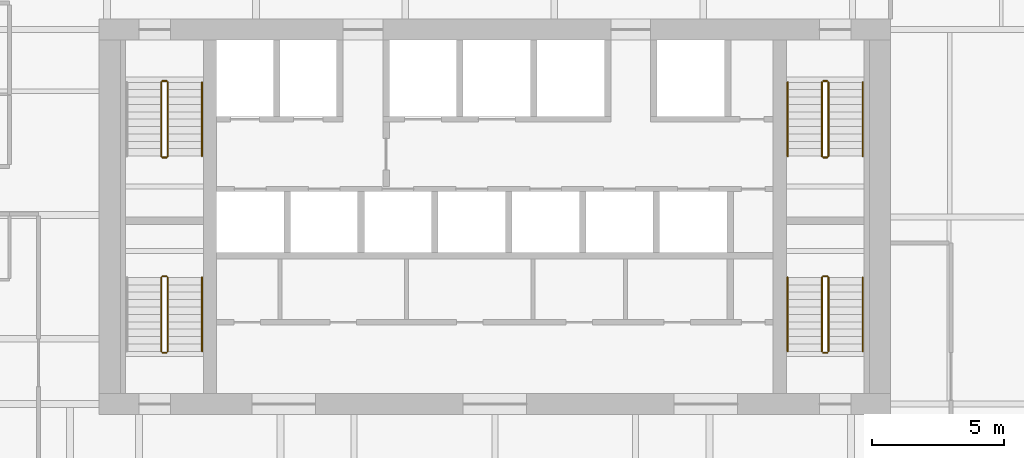
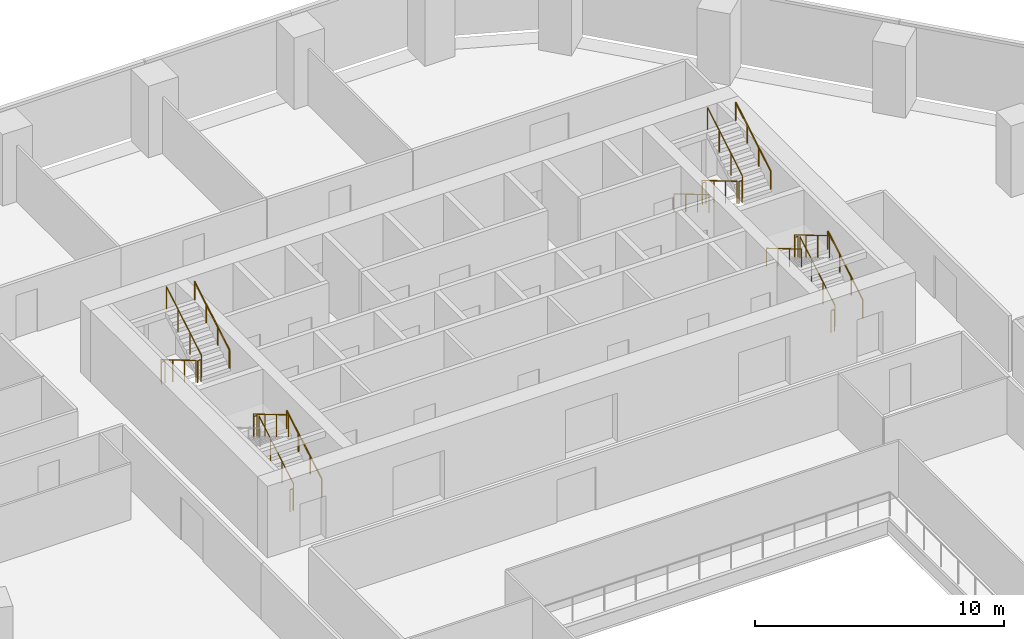
# One storey, part 15 of 16: 22 railings.
"""IFC4 building model written with IfcOpenShell, lengths in metres."""

import ifcopenshell
import ifcopenshell.guid

model = None  # the IFC model being written
_history = None  # IfcOwnerHistory: only IFC2X3 demands one
_inside = {}  # id of a spatial element -> (the spatial element, [elements in it])
_under = {}  # id of a project, library or spatial element -> (it, [spatial elements below it])
_declared = {}  # id of a project -> (the project, [libraries it declares])
_typed = {}  # id of a type object -> (the type object, [elements of that type])
_made_of = {}  # id of a material, layer set ... -> (it, [elements and type objects made of it])


def new_model(schema):
    """Start an empty IFC model of exactly this schema.

    Asked for "IFC4X3", IfcOpenShell would pick the latest addendum, in which some entities
    have other attributes; the version numbers below select the first issue.
    IFC2X3 requires an IfcOwnerHistory on every rooted entity: one is made here for all.
    """
    global model, _history
    if schema == "IFC4X3":
        model = ifcopenshell.file(schema_version=(4, 3, 0, 0))
    else:
        model = ifcopenshell.file(schema=schema)
    _inside.clear()
    _under.clear()
    _declared.clear()
    _typed.clear()
    _made_of.clear()
    _history = None
    if model.schema == "IFC2X3":
        org = make("IfcOrganization", Name="unknown")
        user = make(
            "IfcPersonAndOrganization",
            ThePerson=make("IfcPerson", FamilyName="unknown"),
            TheOrganization=org,
        )
        app = make(
            "IfcApplication",
            ApplicationDeveloper=org,
            Version="unknown",
            ApplicationFullName="unknown",
            ApplicationIdentifier="unknown",
        )
        _history = make(
            "IfcOwnerHistory",
            OwningUser=user,
            OwningApplication=app,
            ChangeAction="ADDED",
            CreationDate=0,
        )
    return model


def make(cls, **values):
    """One entity of the class cls with the attributes given. An attribute that is None is left unset."""
    return model.create_entity(
        cls, **{name: value for name, value in values.items() if value is not None}
    )


def rooted(cls, **values):
    """An entity with a GlobalId (a new one), such as an element, a storey or a relation."""
    return make(cls, GlobalId=ifcopenshell.guid.new(), OwnerHistory=_history, **values)


def si_unit(unit_type, name, prefix=None):
    """IfcSIUnit, for example si_unit("LENGTHUNIT", "METRE", prefix="MILLI")."""
    return make("IfcSIUnit", UnitType=unit_type, Prefix=prefix, Name=name)


def assignment(units):
    """IfcUnitAssignment: the units of a project."""
    return None if units is None else make("IfcUnitAssignment", Units=units)


def point(xyz):
    """IfcCartesianPoint."""
    return None if xyz is None else make("IfcCartesianPoint", Coordinates=xyz)


def direction(xyz):
    """IfcDirection."""
    return None if xyz is None else make("IfcDirection", DirectionRatios=xyz)


def frame(location, z_axis=None, x_axis=None):
    """IfcAxis2Placement3D, a coordinate frame: its origin and axes. An axis left out is left unset."""
    return make(
        "IfcAxis2Placement3D",
        Location=point(location),
        Axis=direction(z_axis),
        RefDirection=direction(x_axis),
    )


def frame_2d(location, x_axis=None):
    """IfcAxis2Placement2D, a coordinate frame in the plane: its origin and x axis."""
    return make(
        "IfcAxis2Placement2D", Location=point(location), RefDirection=direction(x_axis)
    )


def origin():
    """The frame at (0, 0, 0) with its axes left unset."""
    return frame((0.0, 0.0, 0.0))


def origin_2d():
    """The frame at (0, 0) in the plane with its x axis left unset."""
    return frame_2d((0.0, 0.0))


def place(relative_to, where):
    """IfcLocalPlacement: puts the frame where relative to a parent placement (None: the world)."""
    return make(
        "IfcLocalPlacement", PlacementRelTo=relative_to, RelativePlacement=where
    )


def context(
    kind, dimensions, precision=None, world=None, true_north=None, identifier=None
):
    """IfcGeometricRepresentationContext, for example the 3D "Model" context."""
    return make(
        "IfcGeometricRepresentationContext",
        ContextIdentifier=identifier,
        ContextType=kind,
        CoordinateSpaceDimension=dimensions,
        Precision=precision,
        WorldCoordinateSystem=world,
        TrueNorth=true_north,
    )


def subcontext(parent, identifier, kind, view, scale=None):
    """IfcGeometricRepresentationSubContext, for example "Body" below "Model"."""
    return make(
        "IfcGeometricRepresentationSubContext",
        ContextIdentifier=identifier,
        ContextType=kind,
        ParentContext=parent,
        TargetScale=scale,
        TargetView=view,
    )


def project(units=None, contexts=None):
    """IfcProject with its units and contexts."""
    return rooted(
        "IfcProject",
        Name="project",
        RepresentationContexts=contexts,
        UnitsInContext=assignment(units),
    )


def spatial(cls, under=None, at=None, **own):
    """A site, building, storey or space (cls), placed at a placement, below another one or the project."""
    s = rooted(cls, ObjectPlacement=at, **own)
    if under is not None:
        _under.setdefault(under.id(), (under, []))[1].append(s)
    return s


def profile(cls, at=None, kind="AREA", **sizes):
    """A parametric profile (cls). Its sizes go by their IFC names, for example OverallWidth=200.0."""
    return make(cls, ProfileType=kind, Position=at, **sizes)


def circle(**sizes):
    """IfcCircleProfileDef."""
    return profile("IfcCircleProfileDef", **sizes)


def extrude(swept, where, along, depth):
    """IfcExtrudedAreaSolid: the profile swept, set in the frame where, extruded along a direction by depth."""
    return make(
        "IfcExtrudedAreaSolid",
        SweptArea=swept,
        Position=where,
        ExtrudedDirection=direction(along),
        Depth=depth,
    )


def shape(context_of_items, identifier, shape_type, items):
    """IfcShapeRepresentation: the items that make up one representation, for example the "Body"."""
    return make(
        "IfcShapeRepresentation",
        ContextOfItems=context_of_items,
        RepresentationIdentifier=identifier,
        RepresentationType=shape_type,
        Items=items,
    )


def material(Name=None, Category=None):
    """IfcMaterial."""
    return make("IfcMaterial", Name=Name, Category=Category)


def made_of(thing, what):
    """Note that an element or type object is made of a material, layer set ...; save() writes the relation."""
    if what is not None:
        _made_of.setdefault(what.id(), (what, []))[1].append(thing)
    return thing


def type_object(cls, material=None, **own):
    """A type object (cls), such as IfcWallType, which elements share."""
    return made_of(rooted(cls, **own), material)


def element(
    cls,
    number,
    at=None,
    inside=None,
    cuts=None,
    type_object=None,
    material=None,
    context=None,
    identifier="Body",
    shape_type=None,
    held_by="IfcProductDefinitionShape",
    body=None,
    shapes=None,
    **own,
):
    """One element of the class cls, such as IfcWall. Its Tag is "e" and its number.

    at: its placement. inside: the storey or other place that contains it. cuts: it is an
    opening in that element (IfcRelVoidsElement). A single representation is given by context,
    identifier, shape_type and body (its items); several are given by shapes. held_by: the class
    of the entity that holds the representations. save() writes the other relations.
    """
    e = rooted(cls, Tag="e%d" % number, ObjectPlacement=at, **own)
    if body is not None:
        shapes = [shape(context, identifier, shape_type, body)]
    if shapes is not None:
        e.Representation = make(held_by, Representations=shapes)
    if inside is not None:
        _inside.setdefault(inside.id(), (inside, []))[1].append(e)
    if cuts is not None:
        rooted(
            "IfcRelVoidsElement", RelatingBuildingElement=cuts, RelatedOpeningElement=e
        )
    if type_object is not None:
        _typed.setdefault(type_object.id(), (type_object, []))[1].append(e)
    return made_of(e, material)


def aggregate(whole, parts):
    """IfcRelAggregates: a whole, such as a stair, and the parts it consists of."""
    return rooted("IfcRelAggregates", RelatingObject=whole, RelatedObjects=parts)


def save(model, path):
    """Write the relations noted so far, then the file.

    IfcRelAggregates (storeys below a building ...), IfcRelContainedInSpatialStructure (elements
    in a storey), IfcRelDefinesByType, IfcRelAssociatesMaterial and IfcRelDeclares: one each for
    every whole, place, type object, material and project.
    """
    for whole, parts in _under.values():
        aggregate(whole, parts)
    for where, things in _inside.values():
        rooted(
            "IfcRelContainedInSpatialStructure",
            RelatedElements=things,
            RelatingStructure=where,
        )
    for kind, things in _typed.values():
        rooted("IfcRelDefinesByType", RelatedObjects=things, RelatingType=kind)
    for what, things in _made_of.values():
        rooted("IfcRelAssociatesMaterial", RelatedObjects=things, RelatingMaterial=what)
    for by, libraries in _declared.values():
        rooted("IfcRelDeclares", RelatingContext=by, RelatedDefinitions=libraries)
    model.write(path)


model = new_model("IFC4")

# Units and contexts
model_context = context("Model", 3, precision=1e-05, world=origin(), true_north=direction((0.0, 1.0)))
body_context = subcontext(model_context, "Body", "Model", "MODEL_VIEW")
ifc_project = project(units=[si_unit("LENGTHUNIT", "METRE"), si_unit("AREAUNIT", "SQUARE_METRE"), si_unit("VOLUMEUNIT", "CUBIC_METRE"), si_unit("PLANEANGLEUNIT", "RADIAN"), si_unit("MASSUNIT", "GRAM", prefix="KILO")], contexts=[model_context])

# Site, building, storey
site_placement = place(None, origin())
site = spatial("IfcSite", under=ifc_project, at=site_placement, CompositionType="ELEMENT")
building_placement = place(site_placement, origin())
building = spatial("IfcBuilding", under=site, at=building_placement, Name="Isthmus Gate Tower", CompositionType="ELEMENT")
storey_placement = place(building_placement, frame((0.0, 0.0, 151.699951171875)))
storey = spatial("IfcBuildingStorey", under=building, at=storey_placement, Name="L37", CompositionType="ELEMENT", Elevation=151.699951171875)

# Railings
ifc_material_1 = material(Name="Stainless steel balustrade", Category="steel")
railing_type_1 = type_object("IfcRailingType", Name="STAIR GUARD 1100", PredefinedType="GUARDRAIL", material=ifc_material_1)
railing_1_placement = place(storey_placement, frame((-12.64990234375, 12.60009765625, 0.166015625)))
element("IfcRailing", 1, at=railing_1_placement, inside=storey, type_object=railing_type_1, Name="L37 ST1 stair guard 1", PredefinedType="GUARDRAIL", context=body_context, shape_type="SweptSolid", body=[
    extrude(circle(Radius=0.02392578125, at=origin_2d()), frame((0.0, 0.0, 1.076171875), z_axis=(0.0, -0.860339051648, 0.50972219513), x_axis=(1.0, 0.0, 0.0)), (0.0, 0.0, 1.0), 3.254638671875),
    extrude(circle(Radius=0.02099609375, at=origin_2d()), origin(), (0.0, 0.0, 1.0), 1.052001953125),
    extrude(circle(Radius=0.02099609375, at=origin_2d()), frame((0.0, -0.933349609375, 0.552978515625)), (0.0, 0.0, 1.0), 1.052001953125),
    extrude(circle(Radius=0.02099609375, at=origin_2d()), frame((0.0, -1.86669921875, 1.10595703125)), (0.0, 0.0, 1.0), 1.052001953125),
    extrude(circle(Radius=0.02099609375, at=origin_2d()), frame((0.0, -2.800048828125, 1.658935546875)), (0.0, 0.0, 1.0), 1.052001953125),
])
railing_2_placement = place(storey_placement, frame((-12.60009765625, 9.75, 1.824951171875)))
element("IfcRailing", 2, at=railing_2_placement, inside=storey, type_object=railing_type_1, Name="L37 ST1 stair guard 2", PredefinedType="GUARDRAIL", context=body_context, shape_type="SweptSolid", body=[
    extrude(circle(Radius=0.02392578125, at=origin_2d()), frame((0.0, 0.0, 1.076171875), z_axis=(1.0, 0.0, 0.0), x_axis=(0.0, 1.0, 0.0)), (0.0, 0.0, 1.0), 0.150146484375),
    extrude(circle(Radius=0.02099609375, at=origin_2d()), origin(), (0.0, 0.0, 1.0), 1.052001953125),
    extrude(circle(Radius=0.02099609375, at=origin_2d()), frame((0.150146484375, 0.0, 0.0)), (0.0, 0.0, 1.0), 1.052001953125),
])
railing_3_placement = place(storey_placement, frame((-12.39990234375, 9.800048828125, 1.990966796875)))
element("IfcRailing", 3, at=railing_3_placement, inside=storey, type_object=railing_type_1, Name="L37 ST1 stair guard 3", PredefinedType="GUARDRAIL", context=body_context, shape_type="SweptSolid", body=[
    extrude(circle(Radius=0.02392578125, at=origin_2d()), frame((0.0, 0.0, 1.076171875), z_axis=(0.0, 0.860306154799, 0.50977771628), x_axis=(-1.0, 0.0, 0.0)), (0.0, 0.0, 1.0), 3.254638671875),
    extrude(circle(Radius=0.02099609375, at=origin_2d()), origin(), (0.0, 0.0, 1.0), 1.052001953125),
    extrude(circle(Radius=0.02099609375, at=origin_2d()), frame((0.0, 0.933349609375, 0.552978515625)), (0.0, 0.0, 1.0), 1.052001953125),
    extrude(circle(Radius=0.02099609375, at=origin_2d()), frame((0.0, 1.86669921875, 1.106201171875)), (0.0, 0.0, 1.0), 1.052001953125),
    extrude(circle(Radius=0.02099609375, at=origin_2d()), frame((0.0, 2.800048828125, 1.6591796875)), (0.0, 0.0, 1.0), 1.052001953125),
])
railing_4_placement = place(storey_placement, frame((-12.60009765625, 12.64990234375, 0.0)))
element("IfcRailing", 4, at=railing_4_placement, inside=storey, type_object=railing_type_1, Name="L37 ST1 stair guard 4", PredefinedType="GUARDRAIL", context=body_context, shape_type="SweptSolid", body=[
    extrude(circle(Radius=0.02392578125, at=origin_2d()), frame((0.0, 0.0, 1.076171875), z_axis=(1.0, 0.0, 0.0), x_axis=(0.0, 1.0, 0.0)), (0.0, 0.0, 1.0), 0.150146484375),
    extrude(circle(Radius=0.02099609375, at=origin_2d()), origin(), (0.0, 0.0, 1.0), 1.052001953125),
    extrude(circle(Radius=0.02099609375, at=origin_2d()), frame((0.150146484375, 0.0, 0.0)), (0.0, 0.0, 1.0), 1.052001953125),
])
railing_5_placement = place(storey_placement, frame((12.39990234375, 12.60009765625, 0.166015625)))
element("IfcRailing", 5, at=railing_5_placement, inside=storey, type_object=railing_type_1, Name="L37 ST2 stair guard 1", PredefinedType="GUARDRAIL", context=body_context, shape_type="SweptSolid", body=[
    extrude(circle(Radius=0.02392578125, at=origin_2d()), frame((0.0, 0.0, 1.076171875), z_axis=(0.0, -0.860339051648, 0.50972219513), x_axis=(1.0, 0.0, 0.0)), (0.0, 0.0, 1.0), 3.254638671875),
    extrude(circle(Radius=0.02099609375, at=origin_2d()), origin(), (0.0, 0.0, 1.0), 1.052001953125),
    extrude(circle(Radius=0.02099609375, at=origin_2d()), frame((0.0, -0.933349609375, 0.552978515625)), (0.0, 0.0, 1.0), 1.052001953125),
    extrude(circle(Radius=0.02099609375, at=origin_2d()), frame((0.0, -1.86669921875, 1.10595703125)), (0.0, 0.0, 1.0), 1.052001953125),
    extrude(circle(Radius=0.02099609375, at=origin_2d()), frame((0.0, -2.800048828125, 1.658935546875)), (0.0, 0.0, 1.0), 1.052001953125),
])
railing_6_placement = place(storey_placement, frame((12.449951171875, 9.75, 1.824951171875)))
element("IfcRailing", 6, at=railing_6_placement, inside=storey, type_object=railing_type_1, Name="L37 ST2 stair guard 2", PredefinedType="GUARDRAIL", context=body_context, shape_type="SweptSolid", body=[
    extrude(circle(Radius=0.02392578125, at=origin_2d()), frame((0.0, 0.0, 1.076171875), z_axis=(1.0, 0.0, 0.0), x_axis=(0.0, 1.0, 0.0)), (0.0, 0.0, 1.0), 0.150146484375),
    extrude(circle(Radius=0.02099609375, at=origin_2d()), origin(), (0.0, 0.0, 1.0), 1.052001953125),
    extrude(circle(Radius=0.02099609375, at=origin_2d()), frame((0.150146484375, 0.0, 0.0)), (0.0, 0.0, 1.0), 1.052001953125),
])
railing_7_placement = place(storey_placement, frame((12.64990234375, 9.800048828125, 1.990966796875)))
element("IfcRailing", 7, at=railing_7_placement, inside=storey, type_object=railing_type_1, Name="L37 ST2 stair guard 3", PredefinedType="GUARDRAIL", context=body_context, shape_type="SweptSolid", body=[
    extrude(circle(Radius=0.02392578125, at=origin_2d()), frame((0.0, 0.0, 1.076171875), z_axis=(0.0, 0.860306154799, 0.50977771628), x_axis=(-1.0, 0.0, 0.0)), (0.0, 0.0, 1.0), 3.254638671875),
    extrude(circle(Radius=0.02099609375, at=origin_2d()), origin(), (0.0, 0.0, 1.0), 1.052001953125),
    extrude(circle(Radius=0.02099609375, at=origin_2d()), frame((0.0, 0.933349609375, 0.552978515625)), (0.0, 0.0, 1.0), 1.052001953125),
    extrude(circle(Radius=0.02099609375, at=origin_2d()), frame((0.0, 1.86669921875, 1.106201171875)), (0.0, 0.0, 1.0), 1.052001953125),
    extrude(circle(Radius=0.02099609375, at=origin_2d()), frame((0.0, 2.800048828125, 1.6591796875)), (0.0, 0.0, 1.0), 1.052001953125),
])
railing_8_placement = place(storey_placement, frame((12.449951171875, 12.64990234375, 0.0)))
element("IfcRailing", 8, at=railing_8_placement, inside=storey, type_object=railing_type_1, Name="L37 ST2 stair guard 4", PredefinedType="GUARDRAIL", context=body_context, shape_type="SweptSolid", body=[
    extrude(circle(Radius=0.02392578125, at=origin_2d()), frame((0.0, 0.0, 1.076171875), z_axis=(1.0, 0.0, 0.0), x_axis=(0.0, 1.0, 0.0)), (0.0, 0.0, 1.0), 0.150146484375),
    extrude(circle(Radius=0.02099609375, at=origin_2d()), origin(), (0.0, 0.0, 1.0), 1.052001953125),
    extrude(circle(Radius=0.02099609375, at=origin_2d()), frame((0.150146484375, 0.0, 0.0)), (0.0, 0.0, 1.0), 1.052001953125),
])
railing_9_placement = place(storey_placement, frame((-12.39990234375, 2.39990234375, 0.166015625)))
element("IfcRailing", 9, at=railing_9_placement, inside=storey, type_object=railing_type_1, Name="L37 ST7 stair guard 1", PredefinedType="GUARDRAIL", context=body_context, shape_type="SweptSolid", body=[
    extrude(circle(Radius=0.02392578125, at=origin_2d()), frame((0.0, 0.0, 1.076171875), z_axis=(0.0, 0.860339051648, 0.50972219513), x_axis=(-1.0, 0.0, 0.0)), (0.0, 0.0, 1.0), 3.254638671875),
    extrude(circle(Radius=0.02099609375, at=origin_2d()), origin(), (0.0, 0.0, 1.0), 1.052001953125),
    extrude(circle(Radius=0.02099609375, at=origin_2d()), frame((0.0, 0.933349609375, 0.552978515625)), (0.0, 0.0, 1.0), 1.052001953125),
    extrude(circle(Radius=0.02099609375, at=origin_2d()), frame((0.0, 1.86669921875, 1.10595703125)), (0.0, 0.0, 1.0), 1.052001953125),
    extrude(circle(Radius=0.02099609375, at=origin_2d()), frame((0.0, 2.800048828125, 1.658935546875)), (0.0, 0.0, 1.0), 1.052001953125),
])
railing_10_placement = place(storey_placement, frame((-12.449951171875, 5.25, 1.824951171875)))
element("IfcRailing", 10, at=railing_10_placement, inside=storey, type_object=railing_type_1, Name="L37 ST7 stair guard 2", PredefinedType="GUARDRAIL", context=body_context, shape_type="SweptSolid", body=[
    extrude(circle(Radius=0.02392578125, at=origin_2d()), frame((0.0, 0.0, 1.076171875), z_axis=(-1.0, 0.0, 0.0), x_axis=(0.0, -1.0, 0.0)), (0.0, 0.0, 1.0), 0.150146484375),
    extrude(circle(Radius=0.02099609375, at=origin_2d()), origin(), (0.0, 0.0, 1.0), 1.052001953125),
    extrude(circle(Radius=0.02099609375, at=origin_2d()), frame((-0.150146484375, 0.0, 0.0)), (0.0, 0.0, 1.0), 1.052001953125),
])
railing_11_placement = place(storey_placement, frame((-12.64990234375, 5.199951171875, 1.990966796875)))
element("IfcRailing", 11, at=railing_11_placement, inside=storey, type_object=railing_type_1, Name="L37 ST7 stair guard 3", PredefinedType="GUARDRAIL", context=body_context, shape_type="SweptSolid", body=[
    extrude(circle(Radius=0.02392578125, at=origin_2d()), frame((0.0, 0.0, 1.076171875), z_axis=(0.0, -0.860306154799, 0.50977771628), x_axis=(1.0, 0.0, 0.0)), (0.0, 0.0, 1.0), 3.254638671875),
    extrude(circle(Radius=0.02099609375, at=origin_2d()), origin(), (0.0, 0.0, 1.0), 1.052001953125),
    extrude(circle(Radius=0.02099609375, at=origin_2d()), frame((0.0, -0.933349609375, 0.552978515625)), (0.0, 0.0, 1.0), 1.052001953125),
    extrude(circle(Radius=0.02099609375, at=origin_2d()), frame((0.0, -1.86669921875, 1.106201171875)), (0.0, 0.0, 1.0), 1.052001953125),
    extrude(circle(Radius=0.02099609375, at=origin_2d()), frame((0.0, -2.800048828125, 1.6591796875)), (0.0, 0.0, 1.0), 1.052001953125),
])
railing_12_placement = place(storey_placement, frame((-12.449951171875, 2.35009765625, 0.0)))
element("IfcRailing", 12, at=railing_12_placement, inside=storey, type_object=railing_type_1, Name="L37 ST7 stair guard 4", PredefinedType="GUARDRAIL", context=body_context, shape_type="SweptSolid", body=[
    extrude(circle(Radius=0.02392578125, at=origin_2d()), frame((0.0, 0.0, 1.076171875), z_axis=(-1.0, 0.0, 0.0), x_axis=(0.0, -1.0, 0.0)), (0.0, 0.0, 1.0), 0.150146484375),
    extrude(circle(Radius=0.02099609375, at=origin_2d()), origin(), (0.0, 0.0, 1.0), 1.052001953125),
    extrude(circle(Radius=0.02099609375, at=origin_2d()), frame((-0.150146484375, 0.0, 0.0)), (0.0, 0.0, 1.0), 1.052001953125),
])
railing_13_placement = place(storey_placement, frame((12.64990234375, 2.39990234375, 0.166015625)))
element("IfcRailing", 13, at=railing_13_placement, inside=storey, type_object=railing_type_1, Name="L37 ST8 stair guard 1", PredefinedType="GUARDRAIL", context=body_context, shape_type="SweptSolid", body=[
    extrude(circle(Radius=0.02392578125, at=origin_2d()), frame((0.0, 0.0, 1.076171875), z_axis=(0.0, 0.860339051648, 0.50972219513), x_axis=(-1.0, 0.0, 0.0)), (0.0, 0.0, 1.0), 3.254638671875),
    extrude(circle(Radius=0.02099609375, at=origin_2d()), origin(), (0.0, 0.0, 1.0), 1.052001953125),
    extrude(circle(Radius=0.02099609375, at=origin_2d()), frame((0.0, 0.933349609375, 0.552978515625)), (0.0, 0.0, 1.0), 1.052001953125),
    extrude(circle(Radius=0.02099609375, at=origin_2d()), frame((0.0, 1.86669921875, 1.10595703125)), (0.0, 0.0, 1.0), 1.052001953125),
    extrude(circle(Radius=0.02099609375, at=origin_2d()), frame((0.0, 2.800048828125, 1.658935546875)), (0.0, 0.0, 1.0), 1.052001953125),
])
railing_14_placement = place(storey_placement, frame((12.60009765625, 5.25, 1.824951171875)))
element("IfcRailing", 14, at=railing_14_placement, inside=storey, type_object=railing_type_1, Name="L37 ST8 stair guard 2", PredefinedType="GUARDRAIL", context=body_context, shape_type="SweptSolid", body=[
    extrude(circle(Radius=0.02392578125, at=origin_2d()), frame((0.0, 0.0, 1.076171875), z_axis=(-1.0, 0.0, 0.0), x_axis=(0.0, -1.0, 0.0)), (0.0, 0.0, 1.0), 0.150146484375),
    extrude(circle(Radius=0.02099609375, at=origin_2d()), origin(), (0.0, 0.0, 1.0), 1.052001953125),
    extrude(circle(Radius=0.02099609375, at=origin_2d()), frame((-0.150146484375, 0.0, 0.0)), (0.0, 0.0, 1.0), 1.052001953125),
])
railing_15_placement = place(storey_placement, frame((12.39990234375, 5.199951171875, 1.990966796875)))
element("IfcRailing", 15, at=railing_15_placement, inside=storey, type_object=railing_type_1, Name="L37 ST8 stair guard 3", PredefinedType="GUARDRAIL", context=body_context, shape_type="SweptSolid", body=[
    extrude(circle(Radius=0.02392578125, at=origin_2d()), frame((0.0, 0.0, 1.076171875), z_axis=(0.0, -0.860306154799, 0.50977771628), x_axis=(1.0, 0.0, 0.0)), (0.0, 0.0, 1.0), 3.254638671875),
    extrude(circle(Radius=0.02099609375, at=origin_2d()), origin(), (0.0, 0.0, 1.0), 1.052001953125),
    extrude(circle(Radius=0.02099609375, at=origin_2d()), frame((0.0, -0.933349609375, 0.552978515625)), (0.0, 0.0, 1.0), 1.052001953125),
    extrude(circle(Radius=0.02099609375, at=origin_2d()), frame((0.0, -1.86669921875, 1.106201171875)), (0.0, 0.0, 1.0), 1.052001953125),
    extrude(circle(Radius=0.02099609375, at=origin_2d()), frame((0.0, -2.800048828125, 1.6591796875)), (0.0, 0.0, 1.0), 1.052001953125),
])
railing_16_placement = place(storey_placement, frame((12.60009765625, 2.35009765625, 0.0)))
element("IfcRailing", 16, at=railing_16_placement, inside=storey, type_object=railing_type_1, Name="L37 ST8 stair guard 4", PredefinedType="GUARDRAIL", context=body_context, shape_type="SweptSolid", body=[
    extrude(circle(Radius=0.02392578125, at=origin_2d()), frame((0.0, 0.0, 1.076171875), z_axis=(-1.0, 0.0, 0.0), x_axis=(0.0, -1.0, 0.0)), (0.0, 0.0, 1.0), 0.150146484375),
    extrude(circle(Radius=0.02099609375, at=origin_2d()), origin(), (0.0, 0.0, 1.0), 1.052001953125),
    extrude(circle(Radius=0.02099609375, at=origin_2d()), frame((-0.150146484375, 0.0, 0.0)), (0.0, 0.0, 1.0), 1.052001953125),
])
ifc_material_2 = material(Name="Stainless steel handrail", Category="steel")
railing_type_2 = type_object("IfcRailingType", Name="STAIR HANDRAIL 900", PredefinedType="HANDRAIL", material=ifc_material_2)
railing_17_placement = place(storey_placement, frame((-11.10009765625, 9.800048828125, 1.990966796875)))
element("IfcRailing", 17, at=railing_17_placement, inside=storey, type_object=railing_type_2, Name="L37 ST1 stair handrail 2", PredefinedType="HANDRAIL", context=body_context, shape_type="SweptSolid", body=[
    extrude(circle(Radius=0.02392578125, at=origin_2d()), frame((0.0, 0.0, 0.8759765625), z_axis=(0.0, 0.860306154799, 0.50977771628), x_axis=(-1.0, 0.0, 0.0)), (0.0, 0.0, 1.0), 3.254638671875),
    extrude(circle(Radius=0.02099609375, at=origin_2d()), origin(), (0.0, 0.0, 1.0), 0.851806640625),
    extrude(circle(Radius=0.02099609375, at=origin_2d()), frame((0.0, 0.933349609375, 0.552978515625)), (0.0, 0.0, 1.0), 0.851806640625),
    extrude(circle(Radius=0.02099609375, at=origin_2d()), frame((0.0, 1.86669921875, 1.106201171875)), (0.0, 0.0, 1.0), 0.851806640625),
    extrude(circle(Radius=0.02099609375, at=origin_2d()), frame((0.0, 2.800048828125, 1.6591796875)), (0.0, 0.0, 1.0), 0.851806640625),
])
railing_18_placement = place(storey_placement, frame((11.10009765625, 12.60009765625, 0.166015625)))
element("IfcRailing", 18, at=railing_18_placement, inside=storey, type_object=railing_type_2, Name="L37 ST2 stair handrail 1", PredefinedType="HANDRAIL", context=body_context, shape_type="SweptSolid", body=[
    extrude(circle(Radius=0.02392578125, at=origin_2d()), frame((0.0, 0.0, 0.8759765625), z_axis=(0.0, -0.860339051648, 0.50972219513), x_axis=(1.0, 0.0, 0.0)), (0.0, 0.0, 1.0), 3.254638671875),
    extrude(circle(Radius=0.02099609375, at=origin_2d()), origin(), (0.0, 0.0, 1.0), 0.851806640625),
    extrude(circle(Radius=0.02099609375, at=origin_2d()), frame((0.0, -0.933349609375, 0.552978515625)), (0.0, 0.0, 1.0), 0.851806640625),
    extrude(circle(Radius=0.02099609375, at=origin_2d()), frame((0.0, -1.86669921875, 1.10595703125)), (0.0, 0.0, 1.0), 0.851806640625),
    extrude(circle(Radius=0.02099609375, at=origin_2d()), frame((0.0, -2.800048828125, 1.658935546875)), (0.0, 0.0, 1.0), 0.851806640625),
])
railing_19_placement = place(storey_placement, frame((13.949951171875, 9.800048828125, 1.990966796875)))
element("IfcRailing", 19, at=railing_19_placement, inside=storey, type_object=railing_type_2, Name="L37 ST2 stair handrail 2", PredefinedType="HANDRAIL", context=body_context, shape_type="SweptSolid", body=[
    extrude(circle(Radius=0.02392578125, at=origin_2d()), frame((0.0, 0.0, 0.8759765625), z_axis=(0.0, 0.860306154799, 0.50977771628), x_axis=(-1.0, 0.0, 0.0)), (0.0, 0.0, 1.0), 3.254638671875),
    extrude(circle(Radius=0.02099609375, at=origin_2d()), origin(), (0.0, 0.0, 1.0), 0.851806640625),
    extrude(circle(Radius=0.02099609375, at=origin_2d()), frame((0.0, 0.933349609375, 0.552978515625)), (0.0, 0.0, 1.0), 0.851806640625),
    extrude(circle(Radius=0.02099609375, at=origin_2d()), frame((0.0, 1.86669921875, 1.106201171875)), (0.0, 0.0, 1.0), 0.851806640625),
    extrude(circle(Radius=0.02099609375, at=origin_2d()), frame((0.0, 2.800048828125, 1.6591796875)), (0.0, 0.0, 1.0), 0.851806640625),
])
for number, where, name in (
    (20, (-11.10009765625, 2.39990234375, 0.166015625), "L37 ST7 stair handrail 1"),
    (21, (13.949951171875, 2.39990234375, 0.166015625), "L37 ST8 stair handrail 1"),
):
    element("IfcRailing", number, at=place(storey_placement, frame(where)), inside=storey, type_object=railing_type_2, Name=name, PredefinedType="HANDRAIL", context=body_context, shape_type="SweptSolid", body=[
        extrude(circle(Radius=0.02392578125, at=origin_2d()), frame((0.0, 0.0, 0.8759765625), z_axis=(0.0, 0.860339051648, 0.50972219513), x_axis=(-1.0, 0.0, 0.0)), (0.0, 0.0, 1.0), 3.254638671875),
        extrude(circle(Radius=0.02099609375, at=origin_2d()), origin(), (0.0, 0.0, 1.0), 0.851806640625),
        extrude(circle(Radius=0.02099609375, at=origin_2d()), frame((0.0, 0.933349609375, 0.552978515625)), (0.0, 0.0, 1.0), 0.851806640625),
        extrude(circle(Radius=0.02099609375, at=origin_2d()), frame((0.0, 1.86669921875, 1.10595703125)), (0.0, 0.0, 1.0), 0.851806640625),
        extrude(circle(Radius=0.02099609375, at=origin_2d()), frame((0.0, 2.800048828125, 1.658935546875)), (0.0, 0.0, 1.0), 0.851806640625),
    ])
railing_20_placement = place(storey_placement, frame((11.10009765625, 5.199951171875, 1.990966796875)))
element("IfcRailing", 22, at=railing_20_placement, inside=storey, type_object=railing_type_2, Name="L37 ST8 stair handrail 2", PredefinedType="HANDRAIL", context=body_context, shape_type="SweptSolid", body=[
    extrude(circle(Radius=0.02392578125, at=origin_2d()), frame((0.0, 0.0, 0.8759765625), z_axis=(0.0, -0.860306154799, 0.50977771628), x_axis=(1.0, 0.0, 0.0)), (0.0, 0.0, 1.0), 3.254638671875),
    extrude(circle(Radius=0.02099609375, at=origin_2d()), origin(), (0.0, 0.0, 1.0), 0.851806640625),
    extrude(circle(Radius=0.02099609375, at=origin_2d()), frame((0.0, -0.933349609375, 0.552978515625)), (0.0, 0.0, 1.0), 0.851806640625),
    extrude(circle(Radius=0.02099609375, at=origin_2d()), frame((0.0, -1.86669921875, 1.106201171875)), (0.0, 0.0, 1.0), 0.851806640625),
    extrude(circle(Radius=0.02099609375, at=origin_2d()), frame((0.0, -2.800048828125, 1.6591796875)), (0.0, 0.0, 1.0), 0.851806640625),
])

save(model, "model.ifc")
